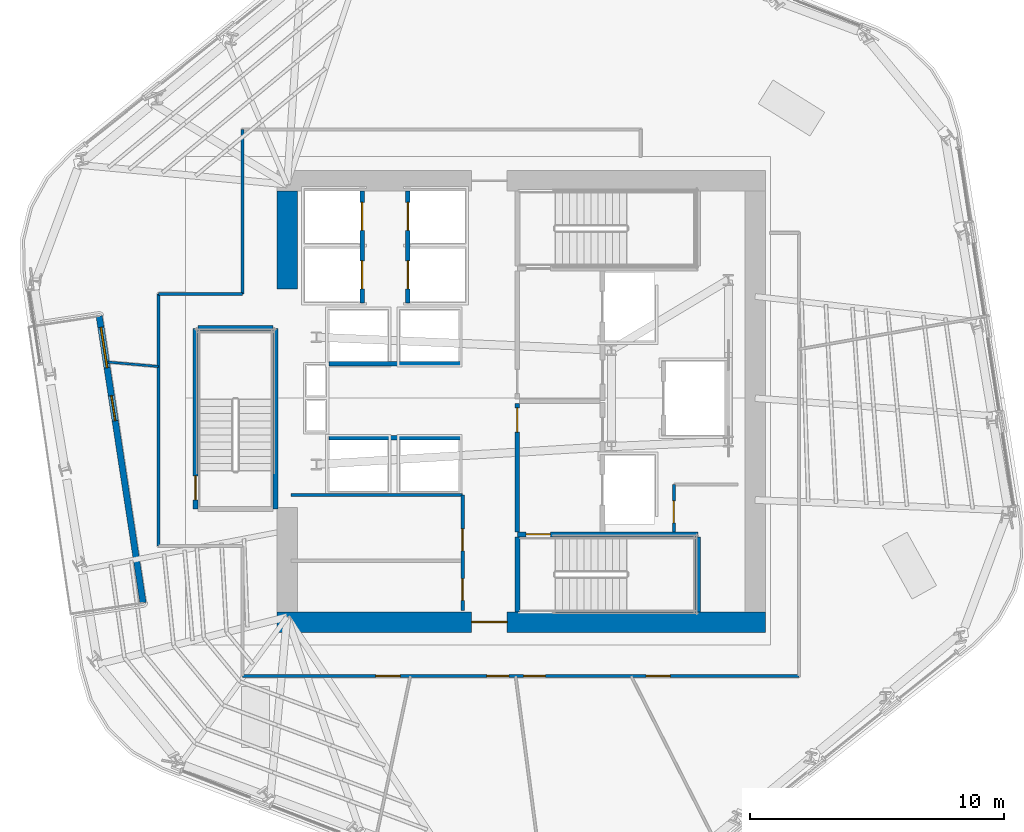
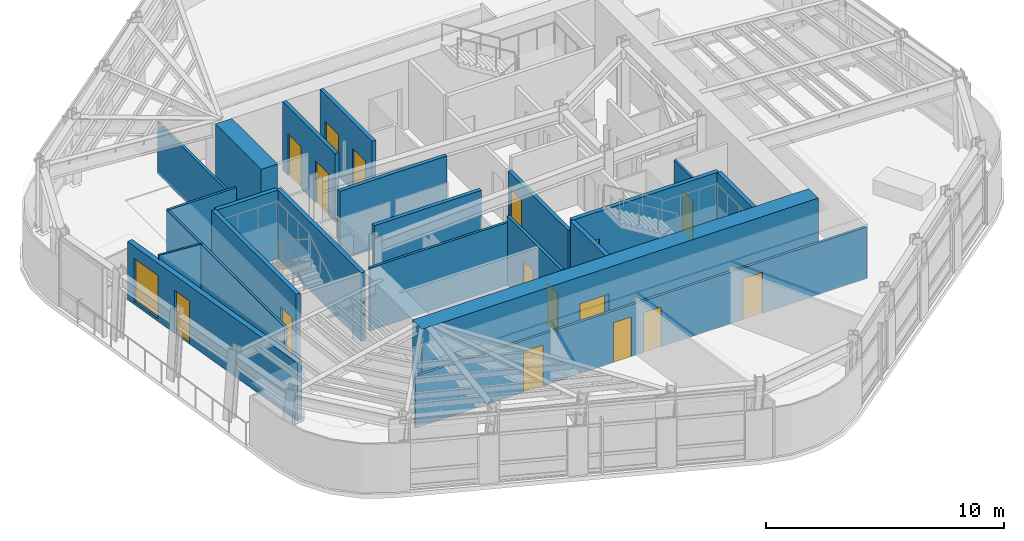
# One storey, part 8 of 15: 22 walls, 16 doors, 1 window, 17 openings.
"""IFC4 building model written with IfcOpenShell, lengths in metres."""

from ifc_helpers import new_model, si_unit, direction, frame, frame_2d, origin, place, context, subcontext, project, spatial, rectangle, extrude, material, layer, layer_set, type_object, element, fill, save


model = new_model("IFC4")

# Units and contexts
model_context = context("Model", 3, precision=1e-05, world=origin(), true_north=direction((0.0, 1.0)))
body_context = subcontext(model_context, "Body", "Model", "MODEL_VIEW")
ifc_project = project(units=[si_unit("LENGTHUNIT", "METRE"), si_unit("AREAUNIT", "SQUARE_METRE"), si_unit("VOLUMEUNIT", "CUBIC_METRE"), si_unit("PLANEANGLEUNIT", "RADIAN"), si_unit("MASSUNIT", "GRAM", prefix="KILO")], contexts=[model_context])

# Site, building, storey
site_placement = place(None, origin())
site = spatial("IfcSite", under=ifc_project, at=site_placement, CompositionType="ELEMENT")
building_placement = place(site_placement, origin())
building = spatial("IfcBuilding", under=site, at=building_placement, Name="Valkerne Bourse Tower", CompositionType="ELEMENT")
storey_placement = place(building_placement, frame((0.0, 0.0, 189.39990234375)))
storey = spatial("IfcBuildingStorey", under=building, at=storey_placement, Name="L48", CompositionType="ELEMENT", Elevation=189.39990234375)

# Wall, opening, door
ifc_material_1 = material(Name="Concrete C55/67", Category="concrete")
ifc_layer_1 = layer(ifc_material_1, 0.800048828125)
ifc_layer_set_1 = layer_set([ifc_layer_1], Name="Concrete C55/67")
wall_type_1 = type_object("IfcWallType", Name="W-CORE-800", PredefinedType="SHEAR", material=ifc_layer_set_1)
wall_1_placement = place(storey_placement, frame((37.199951171875, 18.199951171875, 0.0), z_axis=(0.0, 0.0, 1.0), x_axis=(1.0, 0.0, 0.0)))
wall_1 = element("IfcWall", 1, at=wall_1_placement, inside=storey, type_object=wall_type_1, Name="L48 Core Shear Wall SOUTH", PredefinedType="SHEAR", context=body_context, shape_type="SweptSolid", body=[
    extrude(rectangle(XDim=19.199951171875, YDim=0.800048828125, at=frame_2d((9.60009765625, 0.0))), origin(), (0.0, 0.0, 1.0), 3.52001953125),
])
opening_1_placement = place(wall_1_placement, frame((7.64990234375, 0.0, 0.0)))
opening_1 = element("IfcOpeningElement", 2, at=opening_1_placement, cuts=wall_1, Name="Opening D-PL-1400", PredefinedType="OPENING", context=body_context, shape_type="SweptSolid", body=[
    extrude(rectangle(XDim=1.39990234375, YDim=2.14990234375, at=frame_2d((0.699951171875, 1.074951171875))), frame((0.0, 0.409912109375, 0.0), z_axis=(0.0, -1.0, 0.0), x_axis=(1.0, 0.0, 0.0)), (0.0, 0.0, 1.0), 0.820068359375),
])
ifc_material_2 = material(Name="Galvanised Painted Steel", Category="steel")
door_type_1 = type_object("IfcDoorType", Name="DR-PLT-1400", OperationType="DOUBLE_DOOR_SINGLE_SWING", PredefinedType="DOOR", material=ifc_material_2)
door_1_placement = place(opening_1_placement, origin())
door_1 = element("IfcDoor", 3, at=door_1_placement, inside=storey, type_object=door_type_1, Name="L48 South Passenger Lift Hall Fire Door", OperationType="DOUBLE_DOOR_SINGLE_SWING", OverallHeight=2.14990234375, OverallWidth=1.39990234375, PredefinedType="DOOR", context=body_context, shape_type="SweptSolid", body=[
    extrude(rectangle(XDim=1.39990234375, YDim=2.14990234375, at=frame_2d((0.699951171875, 1.074951171875))), frame((0.0, 0.02490234375, 0.0), z_axis=(0.0, -1.0, 0.0), x_axis=(1.0, 0.0, 0.0)), (0.0, 0.0, 1.0), 0.050048828125),
])
fill(opening_1, door_1)

# Walls
wall_2_placement = place(storey_placement, frame((37.60009765625, 31.300048828125, 0.0), z_axis=(0.0, 0.0, 1.0), x_axis=(0.0, 1.0, 0.0)))
element("IfcWall", 4, at=wall_2_placement, inside=storey, type_object=wall_type_1, Name="L48 Core Shear Wall WEST-N", PredefinedType="SHEAR", context=body_context, shape_type="SweptSolid", body=[
    extrude(rectangle(XDim=3.849853515625, YDim=0.800048828125, at=frame_2d((1.9248046875, 0.0))), origin(), (0.0, 0.0, 1.0), 3.52001953125),
])
ifc_material_3 = material(Name="Gypsum Board Steel-Stud Partition", Category="steel")
ifc_layer_2 = layer(ifc_material_3, 0.117919921875)
ifc_layer_set_2 = layer_set([ifc_layer_2], Name="Gypsum Board Steel-Stud Partition")
wall_type_2 = type_object("IfcWallType", Name="W-CORR-140", PredefinedType="PARTITIONING", material=ifc_layer_set_2)
wall_3_placement = place(storey_placement, frame((37.75, 23.199951171875, 0.0), z_axis=(0.0, 0.0, 1.0), x_axis=(1.0, 0.0, 0.0)))
element("IfcWall", 5, at=wall_3_placement, inside=storey, type_object=wall_type_2, Name="L48 LV7 Low-Bank North Wall", PredefinedType="PARTITIONING", context=body_context, shape_type="SweptSolid", body=[
    extrude(rectangle(XDim=6.75, YDim=0.117919921875, at=frame_2d((3.375, 0.0))), origin(), (0.0, 0.0, 1.0), 3.22021484375),
])

# Wall, opening, door
wall_4_placement = place(storey_placement, frame((52.800048828125, 21.75, 0.0), z_axis=(0.0, 0.0, 1.0), x_axis=(0.0, 1.0, 0.0)))
wall_4 = element("IfcWall", 6, at=wall_4_placement, inside=storey, type_object=wall_type_2, Name="L48 Core SE South-Bay West Wall", PredefinedType="PARTITIONING", context=body_context, shape_type="SweptSolid", body=[
    extrude(rectangle(XDim=1.85009765625, YDim=0.117919921875, at=frame_2d((0.925048828125, 0.0))), origin(), (0.0, 0.0, 1.0), 3.22021484375),
])
opening_2_placement = place(wall_4_placement, frame((0.35009765625, 0.0, 0.0)))
opening_2 = element("IfcOpeningElement", 7, at=opening_2_placement, cuts=wall_4, Name="Opening D-WC-900", PredefinedType="OPENING", context=body_context, shape_type="SweptSolid", body=[
    extrude(rectangle(XDim=0.860107421875, YDim=2.050048828125, at=frame_2d((0.43017578125, 1.02490234375))), frame((0.0, 0.06884765625, 0.0), z_axis=(0.0, -1.0, 0.0), x_axis=(1.0, 0.0, 0.0)), (0.0, 0.0, 1.0), 0.137939453125),
])
ifc_material_4 = material(Name="Architectural White Oak Timber", Category="wood")
door_type_2 = type_object("IfcDoorType", Name="DR-WC-900", OperationType="NOTDEFINED", PredefinedType="DOOR", material=ifc_material_4)
door_2_placement = place(opening_2_placement, origin())
door_2 = element("IfcDoor", 8, at=door_2_placement, inside=storey, type_object=door_type_2, Name="L48 Janitor Store Door", OperationType="SINGLE_SWING_LEFT", OverallHeight=2.050048828125, OverallWidth=0.860107421875, PredefinedType="DOOR", context=body_context, shape_type="SweptSolid", body=[
    extrude(rectangle(XDim=0.860107421875, YDim=2.050048828125, at=frame_2d((0.43017578125, 1.02490234375))), frame((0.0, 0.02490234375, 0.0), z_axis=(0.0, -1.0, 0.0), x_axis=(1.0, 0.0, 0.0)), (0.0, 0.0, 1.0), 0.050048828125),
])
fill(opening_2, door_2)

# Walls
wall_5_placement = place(storey_placement, frame((32.550048828125, 21.199951171875, 0.0), z_axis=(0.0, 0.0, 1.0), x_axis=(0.0, 1.0, 0.0)))
element("IfcWall", 9, at=wall_5_placement, inside=storey, type_object=wall_type_2, Name="L48 Corridor Enclosure Wall", PredefinedType="PARTITIONING", context=body_context, shape_type="SweptSolid", body=[
    extrude(rectangle(XDim=9.900146484375, YDim=0.117919921875, at=frame_2d((4.9501953125, 0.0))), origin(), (0.0, 0.0, 1.0), 3.22021484375),
])
wall_6_placement = place(storey_placement, frame((32.550048828125, 31.10009765625, 0.0), z_axis=(0.0, 0.0, 1.0), x_axis=(1.0, 0.0, 0.0)))
element("IfcWall", 10, at=wall_6_placement, inside=storey, type_object=wall_type_2, Name="L48 Corridor Enclosure Wall", PredefinedType="PARTITIONING", context=body_context, shape_type="SweptSolid", body=[
    extrude(rectangle(XDim=3.300048828125, YDim=0.117919921875, at=frame_2d((1.64990234375, 0.0))), origin(), (0.0, 0.0, 1.0), 3.22021484375),
])
wall_7_placement = place(storey_placement, frame((35.85009765625, 31.10009765625, 0.0), z_axis=(0.0, 0.0, 1.0), x_axis=(0.0, 1.0, 0.0)))
element("IfcWall", 11, at=wall_7_placement, inside=storey, type_object=wall_type_2, Name="L48 Corridor Enclosure Wall", PredefinedType="PARTITIONING", context=body_context, shape_type="SweptSolid", body=[
    extrude(rectangle(XDim=6.4599609375, YDim=0.117919921875, at=frame_2d((3.22998046875, 0.0))), origin(), (0.0, 0.0, 1.0), 2.651611328125),
])

# Wall, openings, doors
wall_8_placement = place(storey_placement, frame((57.719970703125, 16.080078125, 0.0), z_axis=(0.0, 0.0, 1.0), x_axis=(-1.0, 0.0, 0.0)))
wall_8 = element("IfcWall", 12, at=wall_8_placement, inside=storey, type_object=wall_type_2, Name="L48 Corridor Enclosure Wall", PredefinedType="PARTITIONING", context=body_context, shape_type="SweptSolid", body=[
    extrude(rectangle(XDim=21.869873046875, YDim=0.117919921875, at=frame_2d((10.93505859375, 0.0))), origin(), (0.0, 0.0, 1.0), 2.651611328125),
])
opening_3_placement = place(wall_8_placement, frame((11.405029296875, 0.0, 0.0)))
opening_3 = element("IfcOpeningElement", 13, at=opening_3_placement, cuts=wall_8, Name="Opening D-WC-900", PredefinedType="OPENING", context=body_context, shape_type="SweptSolid", body=[
    extrude(rectangle(XDim=0.860107421875, YDim=2.050048828125, at=frame_2d((0.43017578125, 1.02490234375))), frame((0.0, 0.06884765625, 0.0), z_axis=(0.0, -1.0, 0.0), x_axis=(1.0, 0.0, 0.0)), (0.0, 0.0, 1.0), 0.137939453125),
])
opening_4_placement = place(wall_8_placement, frame((9.965087890625, 0.0, 0.0)))
opening_4 = element("IfcOpeningElement", 14, at=opening_4_placement, cuts=wall_8, Name="Opening D-WC-900", PredefinedType="OPENING", context=body_context, shape_type="SweptSolid", body=[
    extrude(rectangle(XDim=0.860107421875, YDim=2.050048828125, at=frame_2d((0.43017578125, 1.02490234375))), frame((0.0, 0.06884765625, 0.0), z_axis=(0.0, -1.0, 0.0), x_axis=(1.0, 0.0, 0.0)), (0.0, 0.0, 1.0), 0.137939453125),
])
opening_5_placement = place(wall_8_placement, frame((15.679931640625, 0.0, 0.0)))
opening_5 = element("IfcOpeningElement", 15, at=opening_5_placement, cuts=wall_8, Name="Opening D-OF-950", PredefinedType="OPENING", context=body_context, shape_type="SweptSolid", body=[
    extrude(rectangle(XDim=0.949951171875, YDim=2.10009765625, at=frame_2d((0.47509765625, 1.050048828125))), frame((0.0, 0.06884765625, 0.0), z_axis=(0.0, -1.0, 0.0), x_axis=(1.0, 0.0, 0.0)), (0.0, 0.0, 1.0), 0.137939453125),
])
opening_6_placement = place(wall_8_placement, frame((5.06005859375, 0.0, 0.0)))
opening_6 = element("IfcOpeningElement", 16, at=opening_6_placement, cuts=wall_8, Name="Opening D-OF-950", PredefinedType="OPENING", context=body_context, shape_type="SweptSolid", body=[
    extrude(rectangle(XDim=0.949951171875, YDim=2.10009765625, at=frame_2d((0.47509765625, 1.050048828125))), frame((0.0, 0.06884765625, 0.0), z_axis=(0.0, -1.0, 0.0), x_axis=(1.0, 0.0, 0.0)), (0.0, 0.0, 1.0), 0.137939453125),
])
door_type_3 = type_object("IfcDoorType", Name="DR-OFF-950", OperationType="NOTDEFINED", PredefinedType="DOOR", material=ifc_material_4)
door_3_placement = place(opening_5_placement, origin())
door_3 = element("IfcDoor", 17, at=door_3_placement, inside=storey, type_object=door_type_3, Name="L48 L48 Trading Desk Office 3 Door", OperationType="SINGLE_SWING_LEFT", OverallHeight=2.10009765625, OverallWidth=0.949951171875, PredefinedType="DOOR", context=body_context, shape_type="SweptSolid", body=[
    extrude(rectangle(XDim=0.949951171875, YDim=2.10009765625, at=frame_2d((0.47509765625, 1.050048828125))), frame((0.0, 0.02490234375, 0.0), z_axis=(0.0, -1.0, 0.0), x_axis=(1.0, 0.0, 0.0)), (0.0, 0.0, 1.0), 0.050048828125),
])
fill(opening_5, door_3)
door_4_placement = place(opening_6_placement, origin())
door_4 = element("IfcDoor", 18, at=door_4_placement, inside=storey, type_object=door_type_3, Name="L48 L48 Trading Desk Office 4 Door", OperationType="SINGLE_SWING_LEFT", OverallHeight=2.10009765625, OverallWidth=0.949951171875, PredefinedType="DOOR", context=body_context, shape_type="SweptSolid", body=[
    extrude(rectangle(XDim=0.949951171875, YDim=2.10009765625, at=frame_2d((0.47509765625, 1.050048828125))), frame((0.0, 0.02490234375, 0.0), z_axis=(0.0, -1.0, 0.0), x_axis=(1.0, 0.0, 0.0)), (0.0, 0.0, 1.0), 0.050048828125),
])
fill(opening_6, door_4)
door_5_placement = place(opening_3_placement, origin())
door_5 = element("IfcDoor", 19, at=door_5_placement, inside=storey, type_object=door_type_2, Name="L48 L48 Men Bathroom WC 1 Door", OperationType="SINGLE_SWING_LEFT", OverallHeight=2.050048828125, OverallWidth=0.860107421875, PredefinedType="DOOR", context=body_context, shape_type="SweptSolid", body=[
    extrude(rectangle(XDim=0.860107421875, YDim=2.050048828125, at=frame_2d((0.43017578125, 1.02490234375))), frame((0.0, 0.02490234375, 0.0), z_axis=(0.0, -1.0, 0.0), x_axis=(1.0, 0.0, 0.0)), (0.0, 0.0, 1.0), 0.050048828125),
])
fill(opening_3, door_5)
door_6_placement = place(opening_4_placement, origin())
door_6 = element("IfcDoor", 20, at=door_6_placement, inside=storey, type_object=door_type_2, Name="L48 L48 Women Restroom & Shower WC 2 Door", OperationType="SINGLE_SWING_LEFT", OverallHeight=2.050048828125, OverallWidth=0.860107421875, PredefinedType="DOOR", context=body_context, shape_type="SweptSolid", body=[
    extrude(rectangle(XDim=0.860107421875, YDim=2.050048828125, at=frame_2d((0.43017578125, 1.02490234375))), frame((0.0, 0.02490234375, 0.0), z_axis=(0.0, -1.0, 0.0), x_axis=(1.0, 0.0, 0.0)), (0.0, 0.0, 1.0), 0.050048828125),
])
fill(opening_4, door_6)

# Wall, openings, door, window
ifc_material_5 = material(Name="Bronze Anodised Aluminium AA 6063-T6", Category="aluminium")
ifc_layer_3 = layer(ifc_material_5, 0.25)
ifc_layer_set_3 = layer_set([ifc_layer_3], Name="Bronze Anodised Aluminium AA 6063-T6")
wall_type_3 = type_object("IfcWallType", Name="W-EXT-TER-250", PredefinedType="STANDARD", material=ifc_layer_set_3)
wall_9_placement = place(storey_placement, frame((30.214599609375, 30.228515625, 0.0), z_axis=(0.0, 0.0, 1.0), x_axis=(0.151281463286, -0.988490727759, 0.0)))
wall_9 = element("IfcWall", 21, at=wall_9_placement, inside=storey, type_object=wall_type_3, Name="L48 V-Notch Terrace Glazed Access Wall", PredefinedType="STANDARD", context=body_context, shape_type="SweptSolid", body=[
    extrude(rectangle(XDim=11.39990234375, YDim=0.25, at=frame_2d((5.699951171875, 0.0))), origin(), (0.0, 0.0, 1.0), 2.980712890625),
])
opening_7_placement = place(wall_9_placement, frame((3.159912109375, 0.0, 0.0)))
opening_7 = element("IfcOpeningElement", 22, at=opening_7_placement, cuts=wall_9, Name="Opening DT-1000", PredefinedType="OPENING", context=body_context, shape_type="SweptSolid", body=[
    extrude(rectangle(XDim=1.0, YDim=2.199951171875, at=frame_2d((0.5, 1.10009765625))), frame((0.0, 0.135009765625, 0.0), z_axis=(0.0, -1.0, 0.0), x_axis=(1.0, 0.0, 0.0)), (0.0, 0.0, 1.0), 0.27001953125),
])
opening_8_placement = place(wall_9_placement, frame((0.449951171875, 0.0, 0.14990234375)))
opening_8 = element("IfcOpeningElement", 23, at=opening_8_placement, cuts=wall_9, Name="Opening WN-04", PredefinedType="OPENING", context=body_context, shape_type="SweptSolid", body=[
    extrude(rectangle(XDim=1.60009765625, YDim=2.199951171875, at=frame_2d((0.800048828125, 1.10009765625))), frame((0.0, 0.135009765625, 0.0), z_axis=(0.0, -1.0, 0.0), x_axis=(1.0, 0.0, 0.0)), (0.0, 0.0, 1.0), 0.27001953125),
])
ifc_material_6 = material(Name="Glass IGU Low-E Double Glazed", Category="glass")
door_type_4 = type_object("IfcDoorType", Name="DR-EXT-TER-1000", OperationType="NOTDEFINED", PredefinedType="DOOR", material=ifc_material_6)
door_7_placement = place(opening_7_placement, origin())
door_7 = element("IfcDoor", 24, at=door_7_placement, inside=storey, type_object=door_type_4, Name="L48 V-Notch Outdoor Terrace Access Door", OperationType="SINGLE_SWING_LEFT", OverallHeight=2.199951171875, OverallWidth=1.0, PredefinedType="DOOR", context=body_context, shape_type="SweptSolid", body=[
    extrude(rectangle(XDim=1.0, YDim=2.199951171875, at=frame_2d((0.5, 1.10009765625))), frame((0.0, 0.02490234375, 0.0), z_axis=(0.0, -1.0, 0.0), x_axis=(1.0, 0.0, 0.0)), (0.0, 0.0, 1.0), 0.050048828125),
])
fill(opening_7, door_7)
window_type = type_object("IfcWindowType", Name="WIN-TER-1600X2200", PartitioningType="SINGLE_PANEL", PredefinedType="WINDOW", material=ifc_material_6)
window_placement = place(opening_8_placement, origin())
window = element("IfcWindow", 25, at=window_placement, inside=storey, type_object=window_type, Name="L48 V-Notch Terrace Sidelight Window", OverallHeight=2.199951171875, OverallWidth=1.60009765625, PartitioningType="SINGLE_PANEL", PredefinedType="WINDOW", context=body_context, shape_type="SweptSolid", body=[
    extrude(rectangle(XDim=1.60009765625, YDim=2.199951171875, at=frame_2d((0.800048828125, 1.10009765625))), frame((0.0, 0.030029296875, 0.0), z_axis=(0.0, -1.0, 0.0), x_axis=(1.0, 0.0, 0.0)), (0.0, 0.0, 1.0), 0.06005859375),
])
fill(opening_8, window)

# Wall, opening, door
ifc_material_7 = material(Name="Gypsum Fire-Rated Shaftwall", Category="gypsum")
ifc_layer_4 = layer(ifc_material_7, 0.179931640625)
ifc_layer_set_4 = layer_set([ifc_layer_4], Name="Gypsum Fire-Rated Shaftwall")
wall_type_4 = type_object("IfcWallType", Name="W-FSAE-180", PredefinedType="PARTITIONING", material=ifc_layer_set_4)
wall_10_placement = place(storey_placement, frame((46.64990234375, 21.75, 0.0), z_axis=(0.0, 0.0, 1.0), x_axis=(0.0, 1.0, 0.0)))
wall_10 = element("IfcWall", 26, at=wall_10_placement, inside=storey, type_object=wall_type_4, Name="L48 FSAE-1 Lobby West Fire Wall", PredefinedType="PARTITIONING", context=body_context, shape_type="SweptSolid", body=[
    extrude(rectangle(XDim=5.050048828125, YDim=0.179931640625, at=frame_2d((2.52490234375, 0.0))), origin(), (0.0, 0.0, 1.0), 2.89794921875),
])
opening_9_placement = place(wall_10_placement, frame((3.919921875, 0.0, 0.0)))
opening_9 = element("IfcOpeningElement", 27, at=opening_9_placement, cuts=wall_10, Name="Opening D-FS-950", PredefinedType="OPENING", context=body_context, shape_type="SweptSolid", body=[
    extrude(rectangle(XDim=0.949951171875, YDim=2.10009765625, at=frame_2d((0.47509765625, 1.050048828125))), frame((0.0, 0.099853515625, 0.0), z_axis=(0.0, -1.0, 0.0), x_axis=(1.0, 0.0, 0.0)), (0.0, 0.0, 1.0), 0.199951171875),
])
door_type_5 = type_object("IfcDoorType", Name="DR-FSAE-950", OperationType="NOTDEFINED", PredefinedType="DOOR", material=ifc_material_2)
door_8_placement = place(opening_9_placement, origin())
door_8 = element("IfcDoor", 28, at=door_8_placement, inside=storey, type_object=door_type_5, Name="L48 FSAE-1 Hall Link Fire Door", OperationType="SINGLE_SWING_RIGHT", OverallHeight=2.10009765625, OverallWidth=0.949951171875, PredefinedType="DOOR", context=body_context, shape_type="SweptSolid", body=[
    extrude(rectangle(XDim=0.949951171875, YDim=2.10009765625, at=frame_2d((0.47509765625, 1.050048828125))), frame((0.0, 0.02490234375, 0.0), z_axis=(0.0, -1.0, 0.0), x_axis=(1.0, 0.0, 0.0)), (0.0, 0.0, 1.0), 0.050048828125),
])
fill(opening_9, door_8)

# Wall, openings, doors
ifc_material_8 = material(Name="CMU Blockwork Masonry 200mm", Category="masonry")
ifc_layer_5 = layer(ifc_material_8, 0.179931640625)
ifc_layer_set_5 = layer_set([ifc_layer_5], Name="CMU Blockwork Masonry 200mm")
wall_type_5 = type_object("IfcWallType", Name="W-LFT-180", PredefinedType="SOLIDWALL", material=ifc_layer_set_5)
wall_11_placement = place(storey_placement, frame((40.550048828125, 30.75, 0.0), z_axis=(0.0, 0.0, 1.0), x_axis=(0.0, 1.0, 0.0)))
wall_11 = element("IfcWall", 29, at=wall_11_placement, inside=storey, type_object=wall_type_5, Name="L48 Mid-Zone West Cars Front Wall", PredefinedType="SOLIDWALL", context=body_context, shape_type="SweptSolid", body=[
    extrude(rectangle(XDim=4.39990234375, YDim=0.179931640625, at=frame_2d((2.199951171875, 0.0))), origin(), (0.0, 0.0, 1.0), 3.52001953125),
])
opening_10_placement = place(wall_11_placement, frame((0.550048828125, 0.0, 0.0)))
opening_10 = element("IfcOpeningElement", 30, at=opening_10_placement, cuts=wall_11, Name="Opening LD-1100", PredefinedType="OPENING", context=body_context, shape_type="SweptSolid", body=[
    extrude(rectangle(XDim=1.10009765625, YDim=2.14990234375, at=frame_2d((0.550048828125, 1.074951171875))), frame((0.0, 0.099853515625, 0.0), z_axis=(0.0, -1.0, 0.0), x_axis=(1.0, 0.0, 0.0)), (0.0, 0.0, 1.0), 0.199951171875),
])
opening_11_placement = place(wall_11_placement, frame((2.85009765625, 0.0, 0.0)))
opening_11 = element("IfcOpeningElement", 31, at=opening_11_placement, cuts=wall_11, Name="Opening LD-1100", PredefinedType="OPENING", context=body_context, shape_type="SweptSolid", body=[
    extrude(rectangle(XDim=1.10009765625, YDim=2.14990234375, at=frame_2d((0.550048828125, 1.074951171875))), frame((0.0, 0.099853515625, 0.0), z_axis=(0.0, -1.0, 0.0), x_axis=(1.0, 0.0, 0.0)), (0.0, 0.0, 1.0), 0.199951171875),
])
ifc_material_9 = material(Name="Stainless Steel AISI 316", Category="steel")
door_type_6 = type_object("IfcDoorType", Name="DR-LIFT-1100", OperationType="DOUBLE_DOOR_SLIDING", PredefinedType="DOOR", material=ifc_material_9)
door_9_placement = place(opening_10_placement, origin())
door_9 = element("IfcDoor", 32, at=door_9_placement, inside=storey, type_object=door_type_6, Name="L48 Passenger Lift PL-M1 Sliding Landing Door", OperationType="DOUBLE_DOOR_SLIDING", OverallHeight=2.14990234375, OverallWidth=1.10009765625, PredefinedType="DOOR", context=body_context, shape_type="SweptSolid", body=[
    extrude(rectangle(XDim=1.10009765625, YDim=2.14990234375, at=frame_2d((0.550048828125, 1.074951171875))), frame((0.0, 0.02490234375, 0.0), z_axis=(0.0, -1.0, 0.0), x_axis=(1.0, 0.0, 0.0)), (0.0, 0.0, 1.0), 0.050048828125),
])
fill(opening_10, door_9)
door_10_placement = place(opening_11_placement, origin())
door_10 = element("IfcDoor", 33, at=door_10_placement, inside=storey, type_object=door_type_6, Name="L48 Passenger Lift PL-M2 Sliding Landing Door", OperationType="DOUBLE_DOOR_SLIDING", OverallHeight=2.14990234375, OverallWidth=1.10009765625, PredefinedType="DOOR", context=body_context, shape_type="SweptSolid", body=[
    extrude(rectangle(XDim=1.10009765625, YDim=2.14990234375, at=frame_2d((0.550048828125, 1.074951171875))), frame((0.0, 0.02490234375, 0.0), z_axis=(0.0, -1.0, 0.0), x_axis=(1.0, 0.0, 0.0)), (0.0, 0.0, 1.0), 0.050048828125),
])
fill(opening_11, door_10)

wall_12_placement = place(storey_placement, frame((42.35009765625, 30.75, 0.0), z_axis=(0.0, 0.0, 1.0), x_axis=(0.0, 1.0, 0.0)))
wall_12 = element("IfcWall", 34, at=wall_12_placement, inside=storey, type_object=wall_type_5, Name="L48 Mid-Zone East Cars Front Wall", PredefinedType="SOLIDWALL", context=body_context, shape_type="SweptSolid", body=[
    extrude(rectangle(XDim=4.39990234375, YDim=0.179931640625, at=frame_2d((2.199951171875, 0.0))), origin(), (0.0, 0.0, 1.0), 3.52001953125),
])
opening_12_placement = place(wall_12_placement, frame((0.550048828125, 0.0, 0.0)))
opening_12 = element("IfcOpeningElement", 35, at=opening_12_placement, cuts=wall_12, Name="Opening LD-1100", PredefinedType="OPENING", context=body_context, shape_type="SweptSolid", body=[
    extrude(rectangle(XDim=1.10009765625, YDim=2.14990234375, at=frame_2d((0.550048828125, 1.074951171875))), frame((0.0, 0.099853515625, 0.0), z_axis=(0.0, -1.0, 0.0), x_axis=(1.0, 0.0, 0.0)), (0.0, 0.0, 1.0), 0.199951171875),
])
opening_13_placement = place(wall_12_placement, frame((2.85009765625, 0.0, 0.0)))
opening_13 = element("IfcOpeningElement", 36, at=opening_13_placement, cuts=wall_12, Name="Opening LD-1100", PredefinedType="OPENING", context=body_context, shape_type="SweptSolid", body=[
    extrude(rectangle(XDim=1.10009765625, YDim=2.14990234375, at=frame_2d((0.550048828125, 1.074951171875))), frame((0.0, 0.099853515625, 0.0), z_axis=(0.0, -1.0, 0.0), x_axis=(1.0, 0.0, 0.0)), (0.0, 0.0, 1.0), 0.199951171875),
])
door_11_placement = place(opening_12_placement, origin())
door_11 = element("IfcDoor", 37, at=door_11_placement, inside=storey, type_object=door_type_6, Name="L48 Passenger Lift PL-M3 Sliding Landing Door", OperationType="DOUBLE_DOOR_SLIDING", OverallHeight=2.14990234375, OverallWidth=1.10009765625, PredefinedType="DOOR", context=body_context, shape_type="SweptSolid", body=[
    extrude(rectangle(XDim=1.10009765625, YDim=2.14990234375, at=frame_2d((0.550048828125, 1.074951171875))), frame((0.0, 0.02490234375, 0.0), z_axis=(0.0, -1.0, 0.0), x_axis=(1.0, 0.0, 0.0)), (0.0, 0.0, 1.0), 0.050048828125),
])
fill(opening_12, door_11)
door_12_placement = place(opening_13_placement, origin())
door_12 = element("IfcDoor", 38, at=door_12_placement, inside=storey, type_object=door_type_6, Name="L48 Passenger Lift PL-M4 Sliding Landing Door", OperationType="DOUBLE_DOOR_SLIDING", OverallHeight=2.14990234375, OverallWidth=1.10009765625, PredefinedType="DOOR", context=body_context, shape_type="SweptSolid", body=[
    extrude(rectangle(XDim=1.10009765625, YDim=2.14990234375, at=frame_2d((0.550048828125, 1.074951171875))), frame((0.0, 0.02490234375, 0.0), z_axis=(0.0, -1.0, 0.0), x_axis=(1.0, 0.0, 0.0)), (0.0, 0.0, 1.0), 0.050048828125),
])
fill(opening_13, door_12)

# Walls
for number, where, z_axis, x_axis, name in (
    (39, (39.25, 25.449951171875, 0.0), (0.0, 0.0, 1.0), (1.0, 0.0, 0.0), "L48 High-Zone South Cars Front Wall"),
    (40, (39.25, 28.35009765625, 0.0), (0.0, 0.0, 1.0), (1.0, 0.0, 0.0), "L48 High-Zone North Cars Front Wall"),
):
    element("IfcWall", number, at=place(storey_placement, frame(where, z_axis=z_axis, x_axis=x_axis)), inside=storey, type_object=wall_type_5, Name=name, PredefinedType="SOLIDWALL", context=body_context, shape_type="SweptSolid", body=[
        extrude(rectangle(XDim=5.199951171875, YDim=0.179931640625, at=frame_2d((2.60009765625, 0.0))), origin(), (0.0, 0.0, 1.0), 3.52001953125),
    ])
ifc_layer_6 = layer(ifc_material_3, 0.092041015625)
ifc_layer_set_6 = layer_set([ifc_layer_6], Name="Gypsum Board Steel-Stud Partition")
wall_type_6 = type_object("IfcWallType", Name="W-PART-115", PredefinedType="PARTITIONING", material=ifc_layer_set_6)
wall_13_placement = place(storey_placement, frame((32.544921875, 28.247314453125, 0.0), z_axis=(0.0, 0.0, 1.0), x_axis=(-0.996200903354, 0.087084787168, 0.0)))
element("IfcWall", 41, at=wall_13_placement, inside=storey, type_object=wall_type_6, Name="L48 Suite Partition P05", PredefinedType="PARTITIONING", context=body_context, shape_type="SweptSolid", body=[
    extrude(rectangle(XDim=1.990478515625, YDim=0.092041015625, at=frame_2d((0.9951171875, 0.0))), origin(), (0.0, 0.0, 1.0), 3.22021484375),
])

# Wall, opening, door
ifc_material_10 = material(Name="Concrete C40/50", Category="concrete")
ifc_layer_7 = layer(ifc_material_10, 0.199951171875)
ifc_layer_set_7 = layer_set([ifc_layer_7], Name="Concrete C40/50")
wall_type_7 = type_object("IfcWallType", Name="W-SHF-200", PredefinedType="SHEAR", material=ifc_layer_set_7)
wall_14_placement = place(storey_placement, frame((46.64990234375, 21.64990234375, 0.0), z_axis=(0.0, 0.0, 1.0), x_axis=(1.0, 0.0, 0.0)))
wall_14 = element("IfcWall", 42, at=wall_14_placement, inside=storey, type_object=wall_type_7, Name="L48 Exit Stair ST-1 Structural Shaft Wall North", PredefinedType="SHEAR", context=body_context, shape_type="SweptSolid", body=[
    extrude(rectangle(XDim=7.10009765625, YDim=0.199951171875, at=frame_2d((3.550048828125, 0.0))), origin(), (0.0, 0.0, 1.0), 3.52001953125),
])
opening_14_placement = place(wall_14_placement, frame((0.35009765625, 0.0, 0.0)))
opening_14 = element("IfcOpeningElement", 43, at=opening_14_placement, cuts=wall_14, Name="Opening D-ST-950", PredefinedType="OPENING", context=body_context, shape_type="SweptSolid", body=[
    extrude(rectangle(XDim=0.949951171875, YDim=2.10009765625, at=frame_2d((0.47509765625, 1.050048828125))), frame((0.0, 0.10986328125, 0.0), z_axis=(0.0, -1.0, 0.0), x_axis=(1.0, 0.0, 0.0)), (0.0, 0.0, 1.0), 0.219970703125),
])
door_type_7 = type_object("IfcDoorType", Name="DR-STAIR-950", OperationType="NOTDEFINED", PredefinedType="DOOR", material=ifc_material_2)
door_13_placement = place(opening_14_placement, origin())
door_13 = element("IfcDoor", 44, at=door_13_placement, inside=storey, type_object=door_type_7, Name="L48 Exit Stair ST-1 Door", OperationType="SINGLE_SWING_RIGHT", OverallHeight=2.10009765625, OverallWidth=0.949951171875, PredefinedType="DOOR", context=body_context, shape_type="SweptSolid", body=[
    extrude(rectangle(XDim=0.949951171875, YDim=2.10009765625, at=frame_2d((0.47509765625, 1.050048828125))), frame((0.0, 0.02490234375, 0.0), z_axis=(0.0, -1.0, 0.0), x_axis=(1.0, 0.0, 0.0)), (0.0, 0.0, 1.0), 0.050048828125),
])
fill(opening_14, door_13)

# Walls
for number, where, z_axis, x_axis, name in (
    (45, (46.64990234375, 18.60009765625, 0.0), (0.0, 0.0, 1.0), (0.0, 1.0, 0.0), "L48 Exit Stair ST-1 Structural Shaft Wall West"),
    (46, (53.75, 18.60009765625, 0.0), (0.0, 0.0, 1.0), (0.0, 1.0, 0.0), "L48 Exit Stair ST-1 Structural Shaft Wall East"),
):
    element("IfcWall", number, at=place(storey_placement, frame(where, z_axis=z_axis, x_axis=x_axis)), inside=storey, type_object=wall_type_7, Name=name, PredefinedType="SHEAR", context=body_context, shape_type="SweptSolid", body=[
        extrude(rectangle(XDim=2.949951171875, YDim=0.199951171875, at=frame_2d((1.47509765625, 0.0))), origin(), (0.0, 0.0, 1.0), 3.52001953125),
    ])

# Wall, opening, door
wall_15_placement = place(storey_placement, frame((34.0, 22.64990234375, 0.0), z_axis=(0.0, 0.0, 1.0), x_axis=(0.0, 1.0, 0.0)))
wall_15 = element("IfcWall", 47, at=wall_15_placement, inside=storey, type_object=wall_type_7, Name="L48 Exit Stair ST-3 Structural Shaft Wall West", PredefinedType="SHEAR", context=body_context, shape_type="SweptSolid", body=[
    extrude(rectangle(XDim=7.10009765625, YDim=0.199951171875, at=frame_2d((3.550048828125, 0.0))), origin(), (0.0, 0.0, 1.0), 3.52001953125),
])
opening_15_placement = place(wall_15_placement, frame((0.35009765625, 0.0, 0.0)))
opening_15 = element("IfcOpeningElement", 48, at=opening_15_placement, cuts=wall_15, Name="Opening D-ST-950", PredefinedType="OPENING", context=body_context, shape_type="SweptSolid", body=[
    extrude(rectangle(XDim=0.949951171875, YDim=2.10009765625, at=frame_2d((0.47509765625, 1.050048828125))), frame((0.0, 0.10986328125, 0.0), z_axis=(0.0, -1.0, 0.0), x_axis=(1.0, 0.0, 0.0)), (0.0, 0.0, 1.0), 0.219970703125),
])
door_14_placement = place(opening_15_placement, origin())
door_14 = element("IfcDoor", 49, at=door_14_placement, inside=storey, type_object=door_type_7, Name="L48 Exit Stair ST-3 Door", OperationType="SINGLE_SWING_RIGHT", OverallHeight=2.10009765625, OverallWidth=0.949951171875, PredefinedType="DOOR", context=body_context, shape_type="SweptSolid", body=[
    extrude(rectangle(XDim=0.949951171875, YDim=2.10009765625, at=frame_2d((0.47509765625, 1.050048828125))), frame((0.0, 0.02490234375, 0.0), z_axis=(0.0, -1.0, 0.0), x_axis=(1.0, 0.0, 0.0)), (0.0, 0.0, 1.0), 0.050048828125),
])
fill(opening_15, door_14)

# Walls
wall_16_placement = place(storey_placement, frame((34.10009765625, 29.75, 0.0), z_axis=(0.0, 0.0, 1.0), x_axis=(1.0, 0.0, 0.0)))
element("IfcWall", 50, at=wall_16_placement, inside=storey, type_object=wall_type_7, Name="L48 Exit Stair ST-3 Structural Shaft Wall North", PredefinedType="SHEAR", context=body_context, shape_type="SweptSolid", body=[
    extrude(rectangle(XDim=2.949951171875, YDim=0.199951171875, at=frame_2d((1.47509765625, 0.0))), origin(), (0.0, 0.0, 1.0), 3.52001953125),
])
wall_17_placement = place(storey_placement, frame((37.14990234375, 22.64990234375, 0.0), z_axis=(0.0, 0.0, 1.0), x_axis=(0.0, 1.0, 0.0)))
element("IfcWall", 51, at=wall_17_placement, inside=storey, type_object=wall_type_7, Name="L48 Exit Stair ST-3 Structural Shaft Wall East", PredefinedType="SHEAR", context=body_context, shape_type="SweptSolid", body=[
    extrude(rectangle(XDim=7.10009765625, YDim=0.199951171875, at=frame_2d((3.550048828125, 0.0))), origin(), (0.0, 0.0, 1.0), 3.52001953125),
])

# Wall, openings, doors
ifc_material_11 = material(Name="Moisture-Resistant Gypsum Partition", Category="gypsum")
ifc_layer_8 = layer(ifc_material_11, 0.139892578125)
ifc_layer_set_8 = layer_set([ifc_layer_8], Name="Moisture-Resistant Gypsum Partition")
wall_type_8 = type_object("IfcWallType", Name="W-WET-140", PredefinedType="PARTITIONING", material=ifc_layer_set_8)
wall_18_placement = place(storey_placement, frame((44.5, 18.64990234375, 0.0), z_axis=(0.0, 0.0, 1.0), x_axis=(0.0, 1.0, 0.0)))
wall_18 = element("IfcWall", 52, at=wall_18_placement, inside=storey, type_object=wall_type_8, Name="L48 LV7 Low-Bank East Wall", PredefinedType="PARTITIONING", context=body_context, shape_type="SweptSolid", body=[
    extrude(rectangle(XDim=4.550048828125, YDim=0.139892578125, at=frame_2d((2.27490234375, 0.0))), origin(), (0.0, 0.0, 1.0), 3.52001953125),
])
opening_16_placement = place(wall_18_placement, frame((0.39990234375, 0.0, 0.0)))
opening_16 = element("IfcOpeningElement", 53, at=opening_16_placement, cuts=wall_18, Name="Opening D-WC-900", PredefinedType="OPENING", context=body_context, shape_type="SweptSolid", body=[
    extrude(rectangle(XDim=0.860107421875, YDim=2.050048828125, at=frame_2d((0.43017578125, 1.02490234375))), frame((0.0, 0.079833984375, 0.0), z_axis=(0.0, -1.0, 0.0), x_axis=(1.0, 0.0, 0.0)), (0.0, 0.0, 1.0), 0.159912109375),
])
opening_17_placement = place(wall_18_placement, frame((2.35009765625, 0.0, 0.0)))
opening_17 = element("IfcOpeningElement", 54, at=opening_17_placement, cuts=wall_18, Name="Opening D-WC-900", PredefinedType="OPENING", context=body_context, shape_type="SweptSolid", body=[
    extrude(rectangle(XDim=0.860107421875, YDim=2.050048828125, at=frame_2d((0.43017578125, 1.02490234375))), frame((0.0, 0.079833984375, 0.0), z_axis=(0.0, -1.0, 0.0), x_axis=(1.0, 0.0, 0.0)), (0.0, 0.0, 1.0), 0.159912109375),
])
door_15_placement = place(opening_16_placement, origin())
door_15 = element("IfcDoor", 55, at=door_15_placement, inside=storey, type_object=door_type_2, Name="L48 Beverage Kitchen Door", OperationType="SINGLE_SWING_RIGHT", OverallHeight=2.050048828125, OverallWidth=0.860107421875, PredefinedType="DOOR", context=body_context, shape_type="SweptSolid", body=[
    extrude(rectangle(XDim=0.860107421875, YDim=2.050048828125, at=frame_2d((0.43017578125, 1.02490234375))), frame((0.0, 0.02490234375, 0.0), z_axis=(0.0, -1.0, 0.0), x_axis=(1.0, 0.0, 0.0)), (0.0, 0.0, 1.0), 0.050048828125),
])
fill(opening_16, door_15)
door_16_placement = place(opening_17_placement, origin())
door_16 = element("IfcDoor", 56, at=door_16_placement, inside=storey, type_object=door_type_2, Name="L48 Compliance Briefing Office Door", OperationType="SINGLE_SWING_LEFT", OverallHeight=2.050048828125, OverallWidth=0.860107421875, PredefinedType="DOOR", context=body_context, shape_type="SweptSolid", body=[
    extrude(rectangle(XDim=0.860107421875, YDim=2.050048828125, at=frame_2d((0.43017578125, 1.02490234375))), frame((0.0, 0.02490234375, 0.0), z_axis=(0.0, -1.0, 0.0), x_axis=(1.0, 0.0, 0.0)), (0.0, 0.0, 1.0), 0.050048828125),
])
fill(opening_17, door_16)

save(model, "model.ifc")
